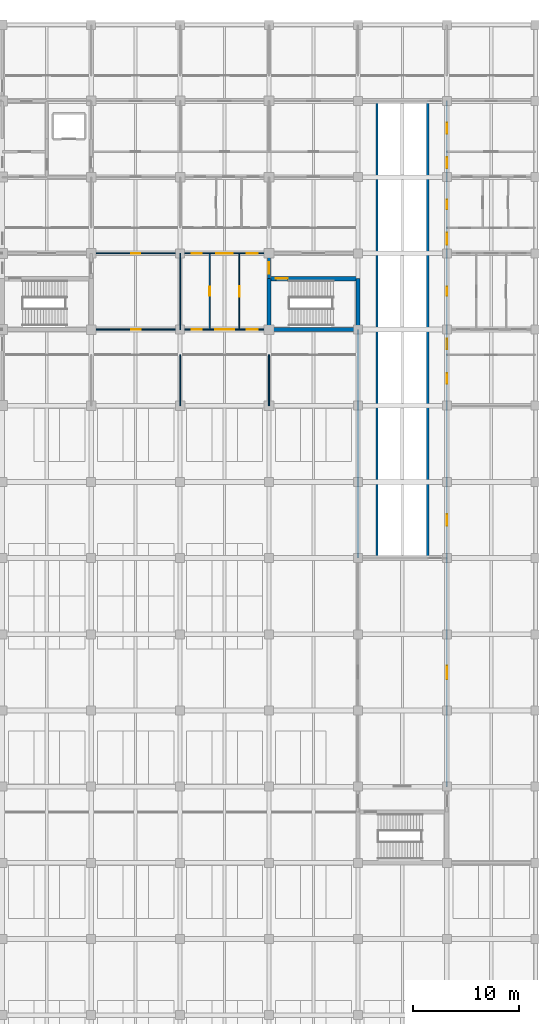
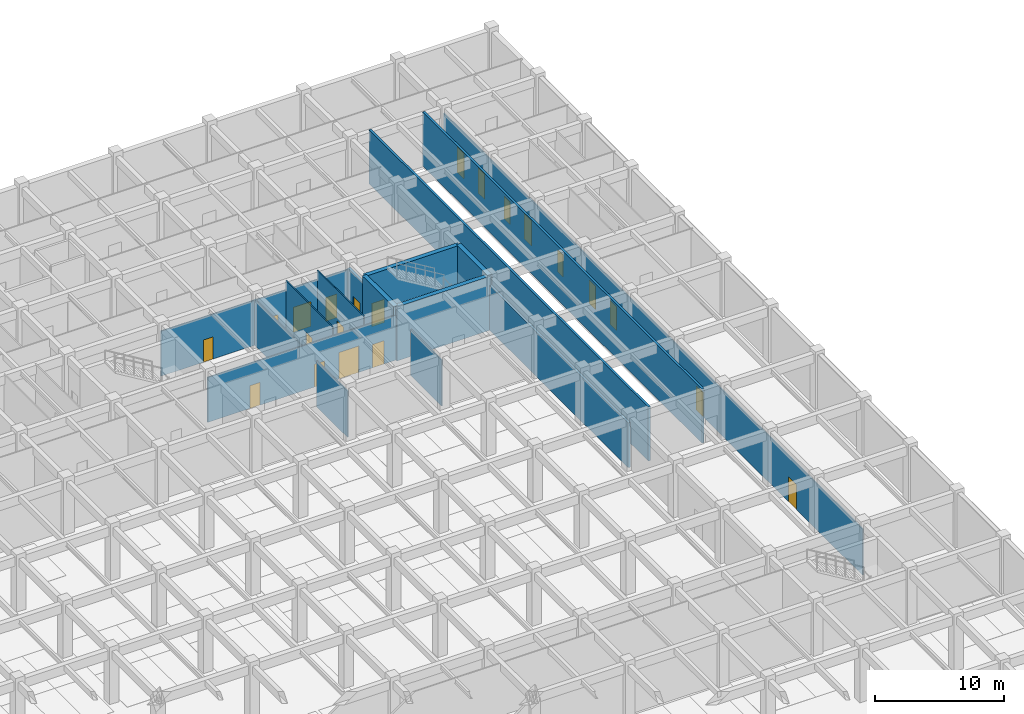
# One storey, part 36 of 48: 21 doors, 16 walls, 21 openings.
"""IFC4 building model written with IfcOpenShell, lengths in metres."""

from ifc_helpers import new_model, si_unit, direction, frame, frame_2d, origin, place, context, subcontext, project, spatial, rectangle, extrude, material, layer, layer_set, type_object, element, fill, save


model = new_model("IFC4")

# Units and contexts
model_context = context("Model", 3, precision=1e-05, world=origin(), true_north=direction((0.0, 1.0)))
body_context = subcontext(model_context, "Body", "Model", "MODEL_VIEW")
ifc_project = project(units=[si_unit("LENGTHUNIT", "METRE"), si_unit("AREAUNIT", "SQUARE_METRE"), si_unit("VOLUMEUNIT", "CUBIC_METRE"), si_unit("PLANEANGLEUNIT", "RADIAN"), si_unit("MASSUNIT", "GRAM", prefix="KILO")], contexts=[model_context])

# Site, building, storey
site_placement = place(None, origin())
site = spatial("IfcSite", under=ifc_project, at=site_placement, CompositionType="ELEMENT")
building_placement = place(site_placement, origin())
building = spatial("IfcBuilding", under=site, at=building_placement, Name="Chengyuan Square Courthouse", CompositionType="ELEMENT")
storey_placement = place(building_placement, frame((0.0, 0.0, -5.39990234375)))
storey = spatial("IfcBuildingStorey", under=building, at=storey_placement, Name="B01", CompositionType="ELEMENT", Elevation=-5.39990234375)

# Wall, opening, door
ifc_material_1 = material(Name="Concrete C40", Category="concrete")
ifc_layer_1 = layer(ifc_material_1, 0.25)
ifc_layer_set_1 = layer_set([ifc_layer_1], Name="Concrete C40")
wall_type_1 = type_object("IfcWallType", Name="WL-FW1", PredefinedType="STANDARD", material=ifc_layer_set_1)
wall_1_placement = place(storey_placement, frame((142.800048828125, 91.199951171875, 0.0), z_axis=(0.0, 0.0, 1.0), x_axis=(0.0, 1.0, 0.0)))
wall_1 = element("IfcWall", 1, at=wall_1_placement, inside=storey, type_object=wall_type_1, Name="Interior Wall WL-B01-I601", PredefinedType="STANDARD", context=body_context, shape_type="SweptSolid", body=[
    extrude(rectangle(XDim=2.400146484375, YDim=0.25, at=frame_2d((1.2001953125, 0.0))), origin(), (0.0, 0.0, 1.0), 4.349853515625),
])
opening_1_placement = place(wall_1_placement, frame((0.465087890625, 0.0, 0.0)))
opening_1 = element("IfcOpeningElement", 2, at=opening_1_placement, cuts=wall_1, Name="Opening DR-372", PredefinedType="OPENING", context=body_context, shape_type="SweptSolid", body=[
    extrude(rectangle(XDim=1.10009765625, YDim=2.199951171875, at=frame_2d((0.550048828125, 1.10009765625))), frame((0.0, 0.136962890625, 0.0), z_axis=(0.0, -1.0, 0.0), x_axis=(1.0, 0.0, 0.0)), (0.0, 0.0, 1.0), 0.27392578125),
])
ifc_material_2 = material(Name="Steel Q235B Fire Door", Category="steel")
door_type_1 = type_object("IfcDoorType", Name="DT-10", OperationType="NOTDEFINED", PredefinedType="DOOR", material=ifc_material_2)
door_1_placement = place(opening_1_placement, origin())
door_1 = element("IfcDoor", 3, at=door_1_placement, inside=storey, type_object=door_type_1, Name="Interior Door DR-372", OperationType="SINGLE_SWING_LEFT", OverallHeight=2.199951171875, OverallWidth=1.10009765625, PredefinedType="DOOR", context=body_context, shape_type="SweptSolid", body=[
    extrude(rectangle(XDim=1.10009765625, YDim=2.199951171875, at=frame_2d((0.550048828125, 1.10009765625))), frame((0.0, 0.02490234375, 0.0), z_axis=(0.0, -1.0, 0.0), x_axis=(1.0, 0.0, 0.0)), (0.0, 0.0, 1.0), 0.050048828125),
])
fill(opening_1, door_1)

# Wall, openings, doors
ifc_material_3 = material(Name="Gypsum Plasterboard Acoustic Stud Partition")
ifc_layer_2 = layer(ifc_material_3, 0.10009765625)
ifc_layer_set_2 = layer_set([ifc_layer_2], Name="Gypsum Plasterboard Acoustic Stud Partition")
wall_type_2 = type_object("IfcWallType", Name="WL-PT6", PredefinedType="STANDARD", material=ifc_layer_set_2)
wall_2_placement = place(storey_placement, frame((126.0, 86.39990234375, 0.0), z_axis=(0.0, 0.0, 1.0), x_axis=(1.0, 0.0, 0.0)))
wall_2 = element("IfcWall", 4, at=wall_2_placement, inside=storey, type_object=wall_type_2, Name="Interior Wall WL-B01-I318", PredefinedType="STANDARD", context=body_context, shape_type="SweptSolid", body=[
    extrude(rectangle(XDim=16.800048828125, YDim=0.10009765625, at=frame_2d((8.39990234375, 0.0))), origin(), (0.0, 0.0, 1.0), 4.25),
])
opening_2_placement = place(wall_2_placement, frame((3.762451171875, 0.0, 0.0)))
opening_2 = element("IfcOpeningElement", 5, at=opening_2_placement, cuts=wall_2, Name="Opening DR-578", PredefinedType="OPENING", context=body_context, shape_type="SweptSolid", body=[
    extrude(rectangle(XDim=0.89990234375, YDim=2.14990234375, at=frame_2d((0.449951171875, 1.074951171875))), frame((0.0, 0.06201171875, 0.0), z_axis=(0.0, -1.0, 0.0), x_axis=(1.0, 0.0, 0.0)), (0.0, 0.0, 1.0), 0.1240234375),
])
opening_3_placement = place(wall_2_placement, frame((9.512451171875, 0.0, 0.0)))
opening_3 = element("IfcOpeningElement", 6, at=opening_3_placement, cuts=wall_2, Name="Opening DR-580", PredefinedType="OPENING", context=body_context, shape_type="SweptSolid", body=[
    extrude(rectangle(XDim=0.919921875, YDim=2.14990234375, at=frame_2d((0.4599609375, 1.074951171875))), frame((0.0, 0.06201171875, 0.0), z_axis=(0.0, -1.0, 0.0), x_axis=(1.0, 0.0, 0.0)), (0.0, 0.0, 1.0), 0.1240234375),
])
opening_4_placement = place(wall_2_placement, frame((11.699951171875, 0.0, 0.0)))
opening_4 = element("IfcOpeningElement", 7, at=opening_4_placement, cuts=wall_2, Name="Opening DR-582", PredefinedType="OPENING", context=body_context, shape_type="SweptSolid", body=[
    extrude(rectangle(XDim=1.800048828125, YDim=2.5, at=frame_2d((0.89990234375, 1.25))), frame((0.0, 0.06201171875, 0.0), z_axis=(0.0, -1.0, 0.0), x_axis=(1.0, 0.0, 0.0)), (0.0, 0.0, 1.0), 0.1240234375),
])
opening_5_placement = place(wall_2_placement, frame((14.695068359375, 0.0, 0.0)))
opening_5 = element("IfcOpeningElement", 8, at=opening_5_placement, cuts=wall_2, Name="Opening DR-583", PredefinedType="OPENING", context=body_context, shape_type="SweptSolid", body=[
    extrude(rectangle(XDim=1.0400390625, YDim=2.199951171875, at=frame_2d((0.52001953125, 1.10009765625))), frame((0.0, 0.06201171875, 0.0), z_axis=(0.0, -1.0, 0.0), x_axis=(1.0, 0.0, 0.0)), (0.0, 0.0, 1.0), 0.1240234375),
])
ifc_material_4 = material(Name="Acoustic Larch Veneer Double Door")
door_type_2 = type_object("IfcDoorType", Name="DT-21", OperationType="DOUBLE_DOOR_SINGLE_SWING", PredefinedType="DOOR", material=ifc_material_4)
door_2_placement = place(opening_4_placement, frame((1.800048828125, 0.0, 0.0), z_axis=(0.0, 0.0, 1.0), x_axis=(-1.0, 0.0, 0.0)))
door_2 = element("IfcDoor", 9, at=door_2_placement, inside=storey, type_object=door_type_2, Name="Interior Door DR-582", OperationType="DOUBLE_DOOR_SINGLE_SWING", OverallHeight=2.5, OverallWidth=1.800048828125, PredefinedType="DOOR", context=body_context, shape_type="SweptSolid", body=[
    extrude(rectangle(XDim=1.800048828125, YDim=2.5, at=frame_2d((0.89990234375, 1.25))), frame((0.0, 0.02490234375, 0.0), z_axis=(0.0, -1.0, 0.0), x_axis=(1.0, 0.0, 0.0)), (0.0, 0.0, 1.0), 0.050048828125),
])
fill(opening_4, door_2)
ifc_material_5 = material(Name="Acoustic Solid-Core Timber Door", Category="wood")
door_type_3 = type_object("IfcDoorType", Name="DT-27", OperationType="NOTDEFINED", PredefinedType="DOOR", material=ifc_material_5)
door_3_placement = place(opening_2_placement, origin())
door_3 = element("IfcDoor", 10, at=door_3_placement, inside=storey, type_object=door_type_3, Name="Interior Door DR-578", OperationType="SINGLE_SWING_LEFT", OverallHeight=2.14990234375, OverallWidth=0.89990234375, PredefinedType="DOOR", context=body_context, shape_type="SweptSolid", body=[
    extrude(rectangle(XDim=0.89990234375, YDim=2.14990234375, at=frame_2d((0.449951171875, 1.074951171875))), frame((0.0, 0.02490234375, 0.0), z_axis=(0.0, -1.0, 0.0), x_axis=(1.0, 0.0, 0.0)), (0.0, 0.0, 1.0), 0.050048828125),
])
fill(opening_2, door_3)
door_type_4 = type_object("IfcDoorType", Name="DT-29", OperationType="NOTDEFINED", PredefinedType="DOOR", material=ifc_material_5)
door_4_placement = place(opening_3_placement, origin())
door_4 = element("IfcDoor", 11, at=door_4_placement, inside=storey, type_object=door_type_4, Name="Interior Door DR-580", OperationType="SINGLE_SWING_LEFT", OverallHeight=2.14990234375, OverallWidth=0.919921875, PredefinedType="DOOR", context=body_context, shape_type="SweptSolid", body=[
    extrude(rectangle(XDim=0.919921875, YDim=2.14990234375, at=frame_2d((0.4599609375, 1.074951171875))), frame((0.0, 0.02490234375, 0.0), z_axis=(0.0, -1.0, 0.0), x_axis=(1.0, 0.0, 0.0)), (0.0, 0.0, 1.0), 0.050048828125),
])
fill(opening_3, door_4)
door_type_5 = type_object("IfcDoorType", Name="DT-32", OperationType="NOTDEFINED", PredefinedType="DOOR", material=ifc_material_5)
door_5_placement = place(opening_5_placement, origin())
door_5 = element("IfcDoor", 12, at=door_5_placement, inside=storey, type_object=door_type_5, Name="Interior Door DR-583", OperationType="SINGLE_SWING_LEFT", OverallHeight=2.199951171875, OverallWidth=1.0400390625, PredefinedType="DOOR", context=body_context, shape_type="SweptSolid", body=[
    extrude(rectangle(XDim=1.0400390625, YDim=2.199951171875, at=frame_2d((0.52001953125, 1.10009765625))), frame((0.0, 0.02490234375, 0.0), z_axis=(0.0, -1.0, 0.0), x_axis=(1.0, 0.0, 0.0)), (0.0, 0.0, 1.0), 0.050048828125),
])
fill(opening_5, door_5)

wall_3_placement = place(storey_placement, frame((126.0, 93.60009765625, 0.0), z_axis=(0.0, 0.0, 1.0), x_axis=(1.0, 0.0, 0.0)))
wall_3 = element("IfcWall", 13, at=wall_3_placement, inside=storey, type_object=wall_type_2, Name="Interior Wall WL-B01-I346", PredefinedType="STANDARD", context=body_context, shape_type="SweptSolid", body=[
    extrude(rectangle(XDim=16.800048828125, YDim=0.10009765625, at=frame_2d((8.39990234375, 0.0))), origin(), (0.0, 0.0, 1.0), 4.25),
])
opening_6_placement = place(wall_3_placement, frame((3.782470703125, 0.0, 0.0)))
opening_6 = element("IfcOpeningElement", 14, at=opening_6_placement, cuts=wall_3, Name="Opening DR-528", PredefinedType="OPENING", context=body_context, shape_type="SweptSolid", body=[
    extrude(rectangle(XDim=0.860107421875, YDim=2.10009765625, at=frame_2d((0.43017578125, 1.050048828125))), frame((0.0, 0.06201171875, 0.0), z_axis=(0.0, -1.0, 0.0), x_axis=(1.0, 0.0, 0.0)), (0.0, 0.0, 1.0), 0.1240234375),
])
opening_7_placement = place(wall_3_placement, frame((9.512451171875, 0.0, 0.0)))
opening_7 = element("IfcOpeningElement", 15, at=opening_7_placement, cuts=wall_3, Name="Opening DR-529", PredefinedType="OPENING", context=body_context, shape_type="SweptSolid", body=[
    extrude(rectangle(XDim=0.919921875, YDim=2.14990234375, at=frame_2d((0.4599609375, 1.074951171875))), frame((0.0, 0.06201171875, 0.0), z_axis=(0.0, -1.0, 0.0), x_axis=(1.0, 0.0, 0.0)), (0.0, 0.0, 1.0), 0.1240234375),
])
opening_8_placement = place(wall_3_placement, frame((11.824951171875, 0.0, 0.0)))
opening_8 = element("IfcOpeningElement", 16, at=opening_8_placement, cuts=wall_3, Name="Opening DR-530", PredefinedType="OPENING", context=body_context, shape_type="SweptSolid", body=[
    extrude(rectangle(XDim=1.550048828125, YDim=2.35009765625, at=frame_2d((0.77490234375, 1.175048828125))), frame((0.0, 0.06201171875, 0.0), z_axis=(0.0, -1.0, 0.0), x_axis=(1.0, 0.0, 0.0)), (0.0, 0.0, 1.0), 0.1240234375),
])
opening_9_placement = place(wall_3_placement, frame((14.715087890625, 0.0, 0.0)))
opening_9 = element("IfcOpeningElement", 17, at=opening_9_placement, cuts=wall_3, Name="Opening DR-531", PredefinedType="OPENING", context=body_context, shape_type="SweptSolid", body=[
    extrude(rectangle(XDim=1.0, YDim=2.25, at=frame_2d((0.5, 1.125))), frame((0.0, 0.06201171875, 0.0), z_axis=(0.0, -1.0, 0.0), x_axis=(1.0, 0.0, 0.0)), (0.0, 0.0, 1.0), 0.1240234375),
])
door_type_6 = type_object("IfcDoorType", Name="DT-23", OperationType="DOUBLE_DOOR_SINGLE_SWING", PredefinedType="DOOR", material=ifc_material_4)
door_6_placement = place(opening_8_placement, frame((1.550048828125, 0.0, 0.0), z_axis=(0.0, 0.0, 1.0), x_axis=(-1.0, 0.0, 0.0)))
door_6 = element("IfcDoor", 18, at=door_6_placement, inside=storey, type_object=door_type_6, Name="Interior Door DR-530", OperationType="DOUBLE_DOOR_SINGLE_SWING", OverallHeight=2.35009765625, OverallWidth=1.550048828125, PredefinedType="DOOR", context=body_context, shape_type="SweptSolid", body=[
    extrude(rectangle(XDim=1.550048828125, YDim=2.35009765625, at=frame_2d((0.77490234375, 1.175048828125))), frame((0.0, 0.02490234375, 0.0), z_axis=(0.0, -1.0, 0.0), x_axis=(1.0, 0.0, 0.0)), (0.0, 0.0, 1.0), 0.050048828125),
])
fill(opening_8, door_6)
door_type_7 = type_object("IfcDoorType", Name="DT-28", OperationType="NOTDEFINED", PredefinedType="DOOR", material=ifc_material_5)
door_7_placement = place(opening_6_placement, origin())
door_7 = element("IfcDoor", 19, at=door_7_placement, inside=storey, type_object=door_type_7, Name="Interior Door DR-528", OperationType="SINGLE_SWING_RIGHT", OverallHeight=2.10009765625, OverallWidth=0.860107421875, PredefinedType="DOOR", context=body_context, shape_type="SweptSolid", body=[
    extrude(rectangle(XDim=0.860107421875, YDim=2.10009765625, at=frame_2d((0.43017578125, 1.050048828125))), frame((0.0, 0.02490234375, 0.0), z_axis=(0.0, -1.0, 0.0), x_axis=(1.0, 0.0, 0.0)), (0.0, 0.0, 1.0), 0.050048828125),
])
fill(opening_6, door_7)
door_8_placement = place(opening_7_placement, origin())
door_8 = element("IfcDoor", 20, at=door_8_placement, inside=storey, type_object=door_type_4, Name="Interior Door DR-529", OperationType="SINGLE_SWING_LEFT", OverallHeight=2.14990234375, OverallWidth=0.919921875, PredefinedType="DOOR", context=body_context, shape_type="SweptSolid", body=[
    extrude(rectangle(XDim=0.919921875, YDim=2.14990234375, at=frame_2d((0.4599609375, 1.074951171875))), frame((0.0, 0.02490234375, 0.0), z_axis=(0.0, -1.0, 0.0), x_axis=(1.0, 0.0, 0.0)), (0.0, 0.0, 1.0), 0.050048828125),
])
fill(opening_7, door_8)
door_type_8 = type_object("IfcDoorType", Name="DT-31", OperationType="NOTDEFINED", PredefinedType="DOOR", material=ifc_material_5)
door_9_placement = place(opening_9_placement, origin())
door_9 = element("IfcDoor", 21, at=door_9_placement, inside=storey, type_object=door_type_8, Name="Interior Door DR-531", OperationType="SINGLE_SWING_RIGHT", OverallHeight=2.25, OverallWidth=1.0, PredefinedType="DOOR", context=body_context, shape_type="SweptSolid", body=[
    extrude(rectangle(XDim=1.0, YDim=2.25, at=frame_2d((0.5, 1.125))), frame((0.0, 0.02490234375, 0.0), z_axis=(0.0, -1.0, 0.0), x_axis=(1.0, 0.0, 0.0)), (0.0, 0.0, 1.0), 0.050048828125),
])
fill(opening_9, door_9)

# Walls
wall_4_placement = place(storey_placement, frame((134.39990234375, 79.199951171875, 0.0), z_axis=(0.0, 0.0, 1.0), x_axis=(0.0, 1.0, 0.0)))
element("IfcWall", 22, at=wall_4_placement, inside=storey, type_object=wall_type_2, Name="Interior Wall WL-B01-I590", PredefinedType="STANDARD", context=body_context, shape_type="SweptSolid", body=[
    extrude(rectangle(XDim=4.800048828125, YDim=0.10009765625, at=frame_2d((2.39990234375, 0.0))), origin(), (0.0, 0.0, 1.0), 4.349853515625),
])
wall_5_placement = place(storey_placement, frame((134.39990234375, 86.39990234375, 0.0), z_axis=(0.0, 0.0, 1.0), x_axis=(0.0, 1.0, 0.0)))
element("IfcWall", 23, at=wall_5_placement, inside=storey, type_object=wall_type_2, Name="Interior Wall WL-B01-I591", PredefinedType="STANDARD", context=body_context, shape_type="SweptSolid", body=[
    extrude(rectangle(XDim=7.2001953125, YDim=0.10009765625, at=frame_2d((3.60009765625, 0.0))), origin(), (0.0, 0.0, 1.0), 4.349853515625),
])

# Wall, opening, door
wall_6_placement = place(storey_placement, frame((137.199951171875, 86.39990234375, 0.0), z_axis=(0.0, 0.0, 1.0), x_axis=(0.0, 1.0, 0.0)))
wall_6 = element("IfcWall", 24, at=wall_6_placement, inside=storey, type_object=wall_type_2, Name="Interior Wall WL-B01-I595", PredefinedType="STANDARD", context=body_context, shape_type="SweptSolid", body=[
    extrude(rectangle(XDim=7.2001953125, YDim=0.10009765625, at=frame_2d((3.60009765625, 0.0))), origin(), (0.0, 0.0, 1.0), 5.099853515625),
])
opening_10_placement = place(wall_6_placement, frame((3.169921875, 0.0, 0.0)))
opening_10 = element("IfcOpeningElement", 25, at=opening_10_placement, cuts=wall_6, Name="Opening DR-579", PredefinedType="OPENING", context=body_context, shape_type="SweptSolid", body=[
    extrude(rectangle(XDim=0.860107421875, YDim=2.10009765625, at=frame_2d((0.43017578125, 1.050048828125))), frame((0.0, 0.06201171875, 0.0), z_axis=(0.0, -1.0, 0.0), x_axis=(1.0, 0.0, 0.0)), (0.0, 0.0, 1.0), 0.1240234375),
])
door_10_placement = place(opening_10_placement, origin())
door_10 = element("IfcDoor", 26, at=door_10_placement, inside=storey, type_object=door_type_7, Name="Interior Door DR-579", OperationType="SINGLE_SWING_RIGHT", OverallHeight=2.10009765625, OverallWidth=0.860107421875, PredefinedType="DOOR", context=body_context, shape_type="SweptSolid", body=[
    extrude(rectangle(XDim=0.860107421875, YDim=2.10009765625, at=frame_2d((0.43017578125, 1.050048828125))), frame((0.0, 0.02490234375, 0.0), z_axis=(0.0, -1.0, 0.0), x_axis=(1.0, 0.0, 0.0)), (0.0, 0.0, 1.0), 0.050048828125),
])
fill(opening_10, door_10)

wall_7_placement = place(storey_placement, frame((140.0, 86.39990234375, 0.0), z_axis=(0.0, 0.0, 1.0), x_axis=(0.0, 1.0, 0.0)))
wall_7 = element("IfcWall", 27, at=wall_7_placement, inside=storey, type_object=wall_type_2, Name="Interior Wall WL-B01-I597", PredefinedType="STANDARD", context=body_context, shape_type="SweptSolid", body=[
    extrude(rectangle(XDim=7.2001953125, YDim=0.10009765625, at=frame_2d((3.60009765625, 0.0))), origin(), (0.0, 0.0, 1.0), 5.099853515625),
])
opening_11_placement = place(wall_7_placement, frame((3.1201171875, 0.0, 0.0)))
opening_11 = element("IfcOpeningElement", 28, at=opening_11_placement, cuts=wall_7, Name="Opening DR-581", PredefinedType="OPENING", context=body_context, shape_type="SweptSolid", body=[
    extrude(rectangle(XDim=0.9599609375, YDim=2.199951171875, at=frame_2d((0.47998046875, 1.10009765625))), frame((0.0, 0.06201171875, 0.0), z_axis=(0.0, -1.0, 0.0), x_axis=(1.0, 0.0, 0.0)), (0.0, 0.0, 1.0), 0.1240234375),
])
door_type_9 = type_object("IfcDoorType", Name="DT-30", OperationType="NOTDEFINED", PredefinedType="DOOR", material=ifc_material_5)
door_11_placement = place(opening_11_placement, origin())
door_11 = element("IfcDoor", 29, at=door_11_placement, inside=storey, type_object=door_type_9, Name="Interior Door DR-581", OperationType="SINGLE_SWING_RIGHT", OverallHeight=2.199951171875, OverallWidth=0.9599609375, PredefinedType="DOOR", context=body_context, shape_type="SweptSolid", body=[
    extrude(rectangle(XDim=0.9599609375, YDim=2.199951171875, at=frame_2d((0.47998046875, 1.10009765625))), frame((0.0, 0.02490234375, 0.0), z_axis=(0.0, -1.0, 0.0), x_axis=(1.0, 0.0, 0.0)), (0.0, 0.0, 1.0), 0.050048828125),
])
fill(opening_11, door_11)

# Wall
wall_8_placement = place(storey_placement, frame((142.800048828125, 79.199951171875, 0.0), z_axis=(0.0, 0.0, 1.0), x_axis=(0.0, 1.0, 0.0)))
element("IfcWall", 30, at=wall_8_placement, inside=storey, type_object=wall_type_2, Name="Interior Wall WL-B01-I599", PredefinedType="STANDARD", context=body_context, shape_type="SweptSolid", body=[
    extrude(rectangle(XDim=4.800048828125, YDim=0.10009765625, at=frame_2d((2.39990234375, 0.0))), origin(), (0.0, 0.0, 1.0), 4.349853515625),
])

# Wall, openings, doors
wall_9_placement = place(storey_placement, frame((159.60009765625, 43.199951171875, 0.0), z_axis=(0.0, 0.0, 1.0), x_axis=(0.0, 1.0, 0.0)))
wall_9 = element("IfcWall", 31, at=wall_9_placement, inside=storey, type_object=wall_type_2, Name="Interior Wall WL-B01-I616", PredefinedType="STANDARD", context=body_context, shape_type="SweptSolid", body=[
    extrude(rectangle(XDim=64.800048828125, YDim=0.10009765625, at=frame_2d((32.39990234375, 0.0))), origin(), (0.0, 0.0, 1.0), 4.349853515625),
])
opening_12_placement = place(wall_9_placement, frame((58.46240234375, 0.0, 0.0)))
opening_12 = element("IfcOpeningElement", 32, at=opening_12_placement, cuts=wall_9, Name="Opening DR-388", PredefinedType="OPENING", context=body_context, shape_type="SweptSolid", body=[
    extrude(rectangle(XDim=1.02001953125, YDim=2.39990234375, at=frame_2d((0.510009765625, 1.199951171875))), frame((0.0, 0.06201171875, 0.0), z_axis=(0.0, -1.0, 0.0), x_axis=(1.0, 0.0, 0.0)), (0.0, 0.0, 1.0), 0.1240234375),
])
opening_13_placement = place(wall_9_placement, frame((61.697509765625, 0.0, 0.0)))
opening_13 = element("IfcOpeningElement", 33, at=opening_13_placement, cuts=wall_9, Name="Opening DR-389", PredefinedType="OPENING", context=body_context, shape_type="SweptSolid", body=[
    extrude(rectangle(XDim=1.06005859375, YDim=2.39990234375, at=frame_2d((0.530029296875, 1.199951171875))), frame((0.0, 0.06201171875, 0.0), z_axis=(0.0, -1.0, 0.0), x_axis=(1.0, 0.0, 0.0)), (0.0, 0.0, 1.0), 0.1240234375),
])
opening_14_placement = place(wall_9_placement, frame((51.202392578125, 0.0, 0.0)))
opening_14 = element("IfcOpeningElement", 34, at=opening_14_placement, cuts=wall_9, Name="Opening DR-390", PredefinedType="OPENING", context=body_context, shape_type="SweptSolid", body=[
    extrude(rectangle(XDim=1.139892578125, YDim=2.39990234375, at=frame_2d((0.56982421875, 1.199951171875))), frame((0.0, 0.06201171875, 0.0), z_axis=(0.0, -1.0, 0.0), x_axis=(1.0, 0.0, 0.0)), (0.0, 0.0, 1.0), 0.1240234375),
])
opening_15_placement = place(wall_9_placement, frame((54.577392578125, 0.0, 0.0)))
opening_15 = element("IfcOpeningElement", 35, at=opening_15_placement, cuts=wall_9, Name="Opening DR-391", PredefinedType="OPENING", context=body_context, shape_type="SweptSolid", body=[
    extrude(rectangle(XDim=0.89990234375, YDim=2.14990234375, at=frame_2d((0.449951171875, 1.074951171875))), frame((0.0, 0.06201171875, 0.0), z_axis=(0.0, -1.0, 0.0), x_axis=(1.0, 0.0, 0.0)), (0.0, 0.0, 1.0), 0.1240234375),
])
opening_16_placement = place(wall_9_placement, frame((46.3701171875, 0.0, 0.0)))
opening_16 = element("IfcOpeningElement", 36, at=opening_16_placement, cuts=wall_9, Name="Opening DR-392", PredefinedType="OPENING", context=body_context, shape_type="SweptSolid", body=[
    extrude(rectangle(XDim=0.860107421875, YDim=2.10009765625, at=frame_2d((0.43017578125, 1.050048828125))), frame((0.0, 0.06201171875, 0.0), z_axis=(0.0, -1.0, 0.0), x_axis=(1.0, 0.0, 0.0)), (0.0, 0.0, 1.0), 0.1240234375),
])
opening_17_placement = place(wall_9_placement, frame((41.347412109375, 0.0, 0.0)))
opening_17 = element("IfcOpeningElement", 37, at=opening_17_placement, cuts=wall_9, Name="Opening DR-394", PredefinedType="OPENING", context=body_context, shape_type="SweptSolid", body=[
    extrude(rectangle(XDim=0.9599609375, YDim=2.199951171875, at=frame_2d((0.47998046875, 1.10009765625))), frame((0.0, 0.06201171875, 0.0), z_axis=(0.0, -1.0, 0.0), x_axis=(1.0, 0.0, 0.0)), (0.0, 0.0, 1.0), 0.1240234375),
])
opening_18_placement = place(wall_9_placement, frame((38.072509765625, 0.0, 0.0)))
opening_18 = element("IfcOpeningElement", 38, at=opening_18_placement, cuts=wall_9, Name="Opening DR-395", PredefinedType="OPENING", context=body_context, shape_type="SweptSolid", body=[
    extrude(rectangle(XDim=1.0, YDim=2.25, at=frame_2d((0.5, 1.125))), frame((0.0, 0.06201171875, 0.0), z_axis=(0.0, -1.0, 0.0), x_axis=(1.0, 0.0, 0.0)), (0.0, 0.0, 1.0), 0.1240234375),
])
opening_19_placement = place(wall_9_placement, frame((24.659912109375, 0.0, 0.0)))
opening_19 = element("IfcOpeningElement", 39, at=opening_19_placement, cuts=wall_9, Name="Opening DR-397", PredefinedType="OPENING", context=body_context, shape_type="SweptSolid", body=[
    extrude(rectangle(XDim=1.080078125, YDim=2.25, at=frame_2d((0.5400390625, 1.125))), frame((0.0, 0.06201171875, 0.0), z_axis=(0.0, -1.0, 0.0), x_axis=(1.0, 0.0, 0.0)), (0.0, 0.0, 1.0), 0.1240234375),
])
opening_20_placement = place(wall_9_placement, frame((10.159912109375, 0.0, 0.0)))
opening_20 = element("IfcOpeningElement", 40, at=opening_20_placement, cuts=wall_9, Name="Opening DR-657", PredefinedType="OPENING", context=body_context, shape_type="SweptSolid", body=[
    extrude(rectangle(XDim=1.280029296875, YDim=2.35009765625, at=frame_2d((0.64013671875, 1.175048828125))), frame((0.0, 0.06201171875, 0.0), z_axis=(0.0, -1.0, 0.0), x_axis=(1.0, 0.0, 0.0)), (0.0, 0.0, 1.0), 0.1240234375),
])
door_12_placement = place(opening_15_placement, origin())
door_12 = element("IfcDoor", 41, at=door_12_placement, inside=storey, type_object=door_type_3, Name="Interior Door DR-391", OperationType="SINGLE_SWING_LEFT", OverallHeight=2.14990234375, OverallWidth=0.89990234375, PredefinedType="DOOR", context=body_context, shape_type="SweptSolid", body=[
    extrude(rectangle(XDim=0.89990234375, YDim=2.14990234375, at=frame_2d((0.449951171875, 1.074951171875))), frame((0.0, 0.02490234375, 0.0), z_axis=(0.0, -1.0, 0.0), x_axis=(1.0, 0.0, 0.0)), (0.0, 0.0, 1.0), 0.050048828125),
])
fill(opening_15, door_12)
door_13_placement = place(opening_16_placement, origin())
door_13 = element("IfcDoor", 42, at=door_13_placement, inside=storey, type_object=door_type_7, Name="Interior Door DR-392", OperationType="SINGLE_SWING_RIGHT", OverallHeight=2.10009765625, OverallWidth=0.860107421875, PredefinedType="DOOR", context=body_context, shape_type="SweptSolid", body=[
    extrude(rectangle(XDim=0.860107421875, YDim=2.10009765625, at=frame_2d((0.43017578125, 1.050048828125))), frame((0.0, 0.02490234375, 0.0), z_axis=(0.0, -1.0, 0.0), x_axis=(1.0, 0.0, 0.0)), (0.0, 0.0, 1.0), 0.050048828125),
])
fill(opening_16, door_13)
door_14_placement = place(opening_17_placement, origin())
door_14 = element("IfcDoor", 43, at=door_14_placement, inside=storey, type_object=door_type_9, Name="Interior Door DR-394", OperationType="SINGLE_SWING_RIGHT", OverallHeight=2.199951171875, OverallWidth=0.9599609375, PredefinedType="DOOR", context=body_context, shape_type="SweptSolid", body=[
    extrude(rectangle(XDim=0.9599609375, YDim=2.199951171875, at=frame_2d((0.47998046875, 1.10009765625))), frame((0.0, 0.02490234375, 0.0), z_axis=(0.0, -1.0, 0.0), x_axis=(1.0, 0.0, 0.0)), (0.0, 0.0, 1.0), 0.050048828125),
])
fill(opening_17, door_14)
door_15_placement = place(opening_18_placement, origin())
door_15 = element("IfcDoor", 44, at=door_15_placement, inside=storey, type_object=door_type_8, Name="Interior Door DR-395", OperationType="SINGLE_SWING_LEFT", OverallHeight=2.25, OverallWidth=1.0, PredefinedType="DOOR", context=body_context, shape_type="SweptSolid", body=[
    extrude(rectangle(XDim=1.0, YDim=2.25, at=frame_2d((0.5, 1.125))), frame((0.0, 0.02490234375, 0.0), z_axis=(0.0, -1.0, 0.0), x_axis=(1.0, 0.0, 0.0)), (0.0, 0.0, 1.0), 0.050048828125),
])
fill(opening_18, door_15)
door_type_10 = type_object("IfcDoorType", Name="DT-33", OperationType="NOTDEFINED", PredefinedType="DOOR", material=ifc_material_5)
door_16_placement = place(opening_19_placement, origin())
door_16 = element("IfcDoor", 45, at=door_16_placement, inside=storey, type_object=door_type_10, Name="Interior Door DR-397", OperationType="SINGLE_SWING_LEFT", OverallHeight=2.25, OverallWidth=1.080078125, PredefinedType="DOOR", context=body_context, shape_type="SweptSolid", body=[
    extrude(rectangle(XDim=1.080078125, YDim=2.25, at=frame_2d((0.5400390625, 1.125))), frame((0.0, 0.02490234375, 0.0), z_axis=(0.0, -1.0, 0.0), x_axis=(1.0, 0.0, 0.0)), (0.0, 0.0, 1.0), 0.050048828125),
])
fill(opening_19, door_16)
door_type_11 = type_object("IfcDoorType", Name="DT-38", OperationType="NOTDEFINED", PredefinedType="DOOR", material=ifc_material_5)
door_17_placement = place(opening_20_placement, origin())
door_17 = element("IfcDoor", 46, at=door_17_placement, inside=storey, type_object=door_type_11, Name="Interior Door DR-657", OperationType="SINGLE_SWING_RIGHT", OverallHeight=2.35009765625, OverallWidth=1.280029296875, PredefinedType="DOOR", context=body_context, shape_type="SweptSolid", body=[
    extrude(rectangle(XDim=1.280029296875, YDim=2.35009765625, at=frame_2d((0.64013671875, 1.175048828125))), frame((0.0, 0.02490234375, 0.0), z_axis=(0.0, -1.0, 0.0), x_axis=(1.0, 0.0, 0.0)), (0.0, 0.0, 1.0), 0.050048828125),
])
fill(opening_20, door_17)
door_type_12 = type_object("IfcDoorType", Name="DT-41", OperationType="NOTDEFINED", PredefinedType="DOOR", material=ifc_material_5)
door_18_placement = place(opening_12_placement, origin())
door_18 = element("IfcDoor", 47, at=door_18_placement, inside=storey, type_object=door_type_12, Name="Interior Door DR-388", OperationType="SINGLE_SWING_RIGHT", OverallHeight=2.39990234375, OverallWidth=1.02001953125, PredefinedType="DOOR", context=body_context, shape_type="SweptSolid", body=[
    extrude(rectangle(XDim=1.02001953125, YDim=2.39990234375, at=frame_2d((0.510009765625, 1.199951171875))), frame((0.0, 0.02490234375, 0.0), z_axis=(0.0, -1.0, 0.0), x_axis=(1.0, 0.0, 0.0)), (0.0, 0.0, 1.0), 0.050048828125),
])
fill(opening_12, door_18)
door_type_13 = type_object("IfcDoorType", Name="DT-42", OperationType="NOTDEFINED", PredefinedType="DOOR", material=ifc_material_5)
door_19_placement = place(opening_13_placement, origin())
door_19 = element("IfcDoor", 48, at=door_19_placement, inside=storey, type_object=door_type_13, Name="Interior Door DR-389", OperationType="SINGLE_SWING_LEFT", OverallHeight=2.39990234375, OverallWidth=1.06005859375, PredefinedType="DOOR", context=body_context, shape_type="SweptSolid", body=[
    extrude(rectangle(XDim=1.06005859375, YDim=2.39990234375, at=frame_2d((0.530029296875, 1.199951171875))), frame((0.0, 0.02490234375, 0.0), z_axis=(0.0, -1.0, 0.0), x_axis=(1.0, 0.0, 0.0)), (0.0, 0.0, 1.0), 0.050048828125),
])
fill(opening_13, door_19)
door_type_14 = type_object("IfcDoorType", Name="DT-43", OperationType="NOTDEFINED", PredefinedType="DOOR", material=ifc_material_5)
door_20_placement = place(opening_14_placement, origin())
door_20 = element("IfcDoor", 49, at=door_20_placement, inside=storey, type_object=door_type_14, Name="Interior Door DR-390", OperationType="SINGLE_SWING_RIGHT", OverallHeight=2.39990234375, OverallWidth=1.139892578125, PredefinedType="DOOR", context=body_context, shape_type="SweptSolid", body=[
    extrude(rectangle(XDim=1.139892578125, YDim=2.39990234375, at=frame_2d((0.56982421875, 1.199951171875))), frame((0.0, 0.02490234375, 0.0), z_axis=(0.0, -1.0, 0.0), x_axis=(1.0, 0.0, 0.0)), (0.0, 0.0, 1.0), 0.050048828125),
])
fill(opening_14, door_20)

# Walls
ifc_material_6 = material(Name="Reinforced Masonry Shaft Enclosure", Category="masonry")
ifc_layer_3 = layer(ifc_material_6, 0.199951171875)
ifc_layer_set_3 = layer_set([ifc_layer_3], Name="Reinforced Masonry Shaft Enclosure")
wall_type_3 = type_object("IfcWallType", Name="WL-SH1", PredefinedType="STANDARD", material=ifc_layer_set_3)
wall_10_placement = place(storey_placement, frame((151.199951171875, 64.800048828125, 0.0), z_axis=(0.0, 0.0, 1.0), x_axis=(0.0, 1.0, 0.0)))
element("IfcWall", 50, at=wall_10_placement, inside=storey, type_object=wall_type_3, Name="Interior Wall WL-B01-I608", PredefinedType="STANDARD", context=body_context, shape_type="SweptSolid", body=[
    extrude(rectangle(XDim=21.599853515625, YDim=0.199951171875, at=frame_2d((10.7998046875, 0.0))), origin(), (0.0, 0.0, 1.0), 4.22998046875),
])
for number, where, z_axis, x_axis, name in (
    (51, (153.0, 64.800048828125, 0.0), (0.0, 0.0, 1.0), (0.0, 1.0, 0.0), "Interior Wall WL-B01-I612"),
    (52, (157.800048828125, 64.800048828125, 0.0), (0.0, 0.0, 1.0), (0.0, 1.0, 0.0), "Interior Wall WL-B01-I613"),
):
    element("IfcWall", number, at=place(storey_placement, frame(where, z_axis=z_axis, x_axis=x_axis)), inside=storey, type_object=wall_type_3, Name=name, PredefinedType="STANDARD", context=body_context, shape_type="SweptSolid", body=[
        extrude(rectangle(XDim=43.199951171875, YDim=0.199951171875, at=frame_2d((21.60009765625, 0.0))), origin(), (0.0, 0.0, 1.0), 5.099853515625),
    ])
ifc_material_7 = material(Name="Concrete C50", Category="concrete")
ifc_layer_4 = layer(ifc_material_7, 0.39990234375)
ifc_layer_set_4 = layer_set([ifc_layer_4], Name="Concrete C50")
wall_type_4 = type_object("IfcWallType", Name="WL-SW1", PredefinedType="SHEAR", material=ifc_layer_set_4)
wall_11_placement = place(storey_placement, frame((142.800048828125, 86.39990234375, 0.0), z_axis=(0.0, 0.0, 1.0), x_axis=(1.0, 0.0, 0.0)))
element("IfcWall", 53, at=wall_11_placement, inside=storey, type_object=wall_type_4, Name="Interior Wall WL-B01-I319", PredefinedType="SHEAR", context=body_context, shape_type="SweptSolid", body=[
    extrude(rectangle(XDim=8.39990234375, YDim=0.39990234375, at=frame_2d((4.199951171875, 0.0))), origin(), (0.0, 0.0, 1.0), 5.099853515625),
])

# Wall, opening, door
wall_12_placement = place(storey_placement, frame((142.800048828125, 91.199951171875, 0.0), z_axis=(0.0, 0.0, 1.0), x_axis=(1.0, 0.0, 0.0)))
wall_12 = element("IfcWall", 54, at=wall_12_placement, inside=storey, type_object=wall_type_4, Name="Interior Wall WL-B01-I335", PredefinedType="SHEAR", context=body_context, shape_type="SweptSolid", body=[
    extrude(rectangle(XDim=8.39990234375, YDim=0.39990234375, at=frame_2d((4.199951171875, 0.0))), origin(), (0.0, 0.0, 1.0), 5.099853515625),
])
opening_21_placement = place(wall_12_placement, frame((0.64990234375, 0.0, 0.0)))
opening_21 = element("IfcOpeningElement", 55, at=opening_21_placement, cuts=wall_12, Name="Opening DR-344", PredefinedType="OPENING", context=body_context, shape_type="SweptSolid", body=[
    extrude(rectangle(XDim=1.10009765625, YDim=2.199951171875, at=frame_2d((0.550048828125, 1.10009765625))), frame((0.0, 0.2119140625, 0.0), z_axis=(0.0, -1.0, 0.0), x_axis=(1.0, 0.0, 0.0)), (0.0, 0.0, 1.0), 0.423828125),
])
door_21_placement = place(opening_21_placement, frame((1.10009765625, 0.0, 0.0), z_axis=(0.0, 0.0, 1.0), x_axis=(-1.0, 0.0, 0.0)))
door_21 = element("IfcDoor", 56, at=door_21_placement, inside=storey, type_object=door_type_1, Name="Smoke-Proof Stairwell Fire Door ST-10 DR-344", OperationType="SINGLE_SWING_LEFT", OverallHeight=2.199951171875, OverallWidth=1.10009765625, PredefinedType="DOOR", context=body_context, shape_type="SweptSolid", body=[
    extrude(rectangle(XDim=1.10009765625, YDim=2.199951171875, at=frame_2d((0.550048828125, 1.10009765625))), frame((0.0, 0.02490234375, 0.0), z_axis=(0.0, -1.0, 0.0), x_axis=(1.0, 0.0, 0.0)), (0.0, 0.0, 1.0), 0.050048828125),
])
fill(opening_21, door_21)

# Walls
for number, where, z_axis, x_axis, name in (
    (57, (142.800048828125, 86.39990234375, 0.0), (0.0, 0.0, 1.0), (0.0, 1.0, 0.0), "Interior Wall WL-B01-I600"),
    (58, (151.199951171875, 86.39990234375, 0.0), (0.0, 0.0, 1.0), (0.0, 1.0, 0.0), "Interior Wall WL-B01-I609"),
):
    element("IfcWall", number, at=place(storey_placement, frame(where, z_axis=z_axis, x_axis=x_axis)), inside=storey, type_object=wall_type_4, Name=name, PredefinedType="SHEAR", context=body_context, shape_type="SweptSolid", body=[
        extrude(rectangle(XDim=4.800048828125, YDim=0.39990234375, at=frame_2d((2.39990234375, 0.0))), origin(), (0.0, 0.0, 1.0), 5.099853515625),
    ])

save(model, "model.ifc")
